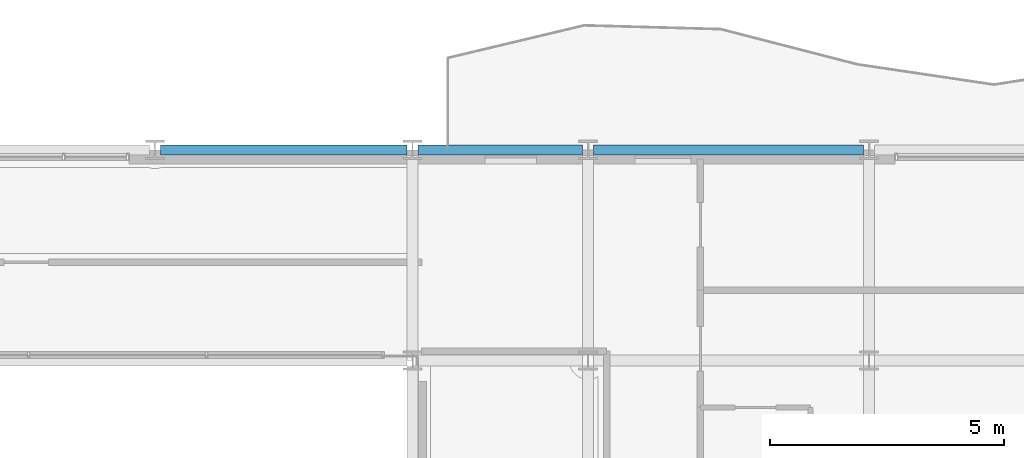
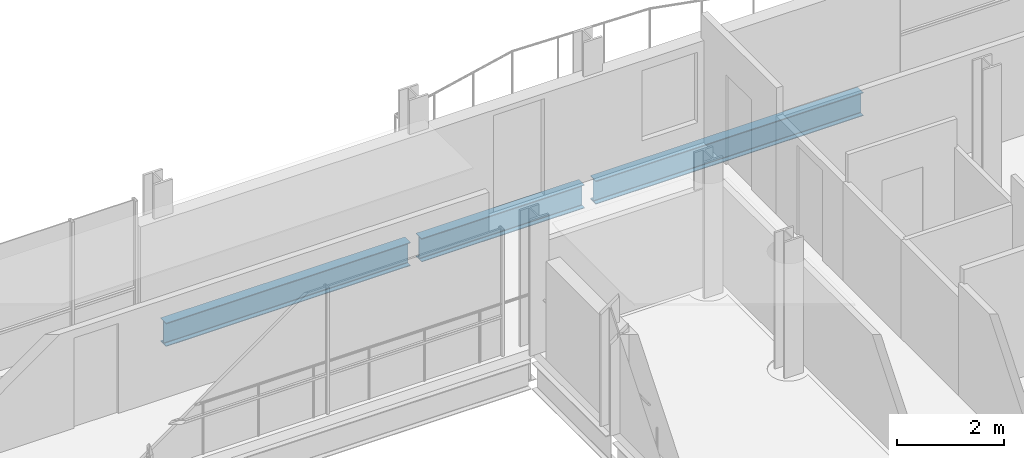
# One storey, part 25 of 41: 3 beams.
"""IFC4 building model written with IfcOpenShell, lengths in metres."""

from ifc_helpers import new_model, si_unit, direction, frame, origin, origin_2d, place, context, subcontext, project, spatial, i_section, extrude, material, material_profile, profile_set, type_object, element, save


model = new_model("IFC4")

# Units and contexts
model_context = context("Model", 3, precision=1e-05, world=origin(), true_north=direction((0.0, 1.0)))
body_context = subcontext(model_context, "Body", "Model", "MODEL_VIEW")
ifc_project = project(units=[si_unit("LENGTHUNIT", "METRE"), si_unit("AREAUNIT", "SQUARE_METRE"), si_unit("VOLUMEUNIT", "CUBIC_METRE"), si_unit("PLANEANGLEUNIT", "RADIAN"), si_unit("MASSUNIT", "GRAM", prefix="KILO")], contexts=[model_context])

# Site, building, storey
site_placement = place(None, origin())
site = spatial("IfcSite", under=ifc_project, at=site_placement, CompositionType="ELEMENT")
building_placement = place(site_placement, origin())
building = spatial("IfcBuilding", under=site, at=building_placement, Name="Brevholm Reach", CompositionType="ELEMENT")
storey_placement = place(building_placement, frame((0.0, 0.0, 144.89990234375)))
storey = spatial("IfcBuildingStorey", under=building, at=storey_placement, Name="L43", CompositionType="ELEMENT", Elevation=144.89990234375)

# Beams
ifc_material = material(Name="Structural Steel S355J2", Category="steel")
ifc_material_profile = material_profile(ifc_material, i_section(OverallWidth=0.209228515625, OverallDepth=0.533203125, WebThickness=0.010009765625, FlangeThickness=0.015625, FilletRadius=0.0126953125, at=origin_2d()), Name="UKB 533x210x92")
ifc_profile_set = profile_set([ifc_material_profile], Name="Structural Steel S355J2")
beam_type = type_object("IfcBeamType", Name="BM-SP533", PredefinedType="SPANDREL", material=ifc_profile_set)
beam_1_placement = place(storey_placement, frame((32.8701171875, 31.0, -0.486572265625), z_axis=(1.0, 0.0, 0.0), x_axis=(0.0, 1.0, 0.0)))
element("IfcBeam", 1, at=beam_1_placement, inside=storey, type_object=beam_type, Name="L43 SP-02 Framing Beam", PredefinedType="SPANDREL", context=body_context, shape_type="SweptSolid", body=[
    extrude(i_section(OverallWidth=0.209228515625, OverallDepth=0.533203125, WebThickness=0.010009765625, FlangeThickness=0.015625, FilletRadius=0.0126953125, at=origin_2d()), origin(), (0.0, 0.0, 1.0), 5.259765625),
])
beam_2_placement = place(storey_placement, frame((38.3701171875, 31.0, -0.486572265625), z_axis=(1.0, 0.0, 0.0), x_axis=(0.0, 1.0, 0.0)))
element("IfcBeam", 2, at=beam_2_placement, inside=storey, type_object=beam_type, Name="L43 SP-02 Framing Beam", PredefinedType="SPANDREL", context=body_context, shape_type="SweptSolid", body=[
    extrude(i_section(OverallWidth=0.209228515625, OverallDepth=0.533203125, WebThickness=0.010009765625, FlangeThickness=0.015625, FilletRadius=0.0126953125, at=origin_2d()), origin(), (0.0, 0.0, 1.0), 3.509765625),
])
beam_3_placement = place(storey_placement, frame((42.1201171875, 31.0, -0.486572265625), z_axis=(1.0, 0.0, 0.0), x_axis=(0.0, 1.0, 0.0)))
element("IfcBeam", 3, at=beam_3_placement, inside=storey, type_object=beam_type, Name="L43 SP-02 Framing Beam", PredefinedType="SPANDREL", context=body_context, shape_type="SweptSolid", body=[
    extrude(i_section(OverallWidth=0.209228515625, OverallDepth=0.533203125, WebThickness=0.010009765625, FlangeThickness=0.015625, FilletRadius=0.0126953125, at=origin_2d()), origin(), (0.0, 0.0, 1.0), 5.759765625),
])

save(model, "model.ifc")
